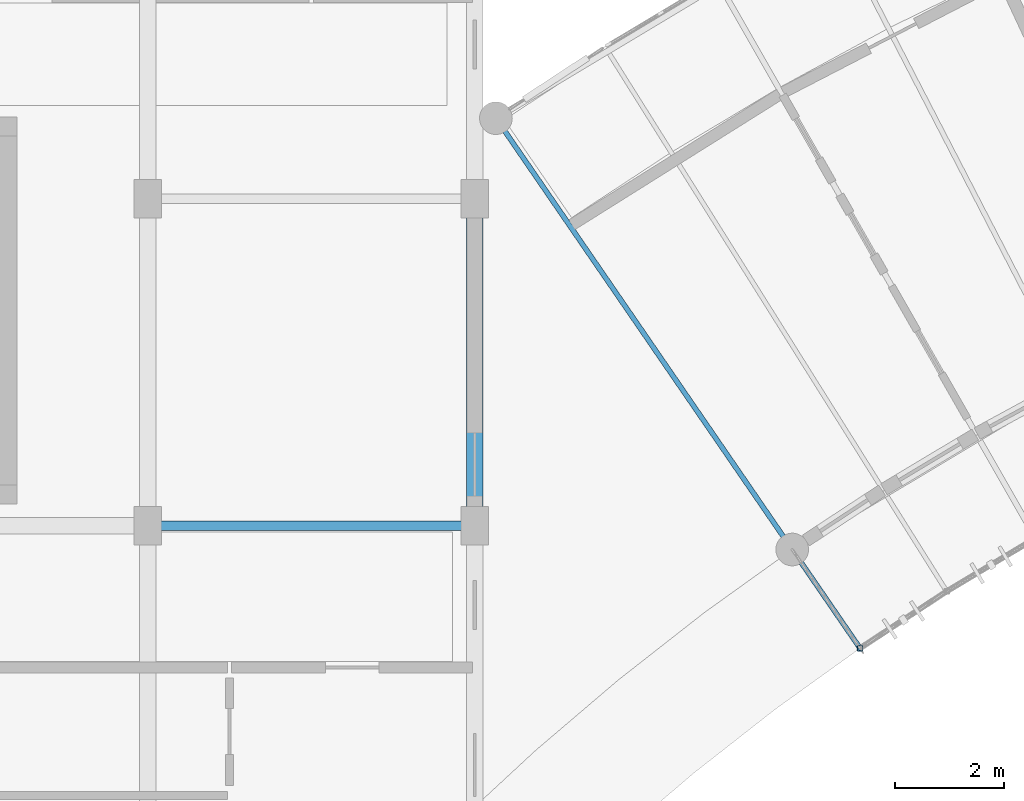
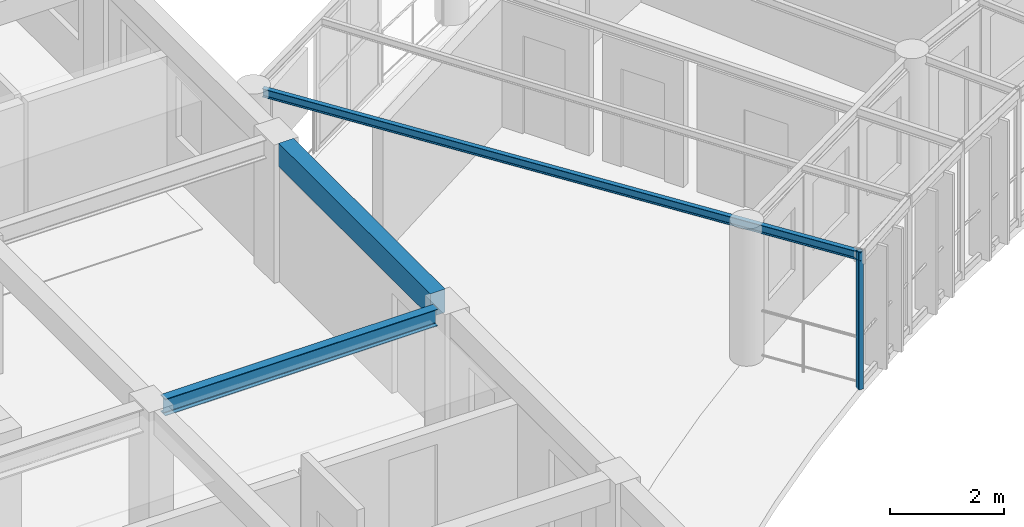
# One storey, part 26 of 101: 3 beams, 1 member.
"""IFC4 building model written with IfcOpenShell, lengths in metres."""

import ifcopenshell
import ifcopenshell.guid

model = None  # the IFC model being written
_history = None  # IfcOwnerHistory: only IFC2X3 demands one
_inside = {}  # id of a spatial element -> (the spatial element, [elements in it])
_under = {}  # id of a project, library or spatial element -> (it, [spatial elements below it])
_declared = {}  # id of a project -> (the project, [libraries it declares])
_typed = {}  # id of a type object -> (the type object, [elements of that type])
_made_of = {}  # id of a material, layer set ... -> (it, [elements and type objects made of it])


def new_model(schema):
    """Start an empty IFC model of exactly this schema.

    Asked for "IFC4X3", IfcOpenShell would pick the latest addendum, in which some entities
    have other attributes; the version numbers below select the first issue.
    IFC2X3 requires an IfcOwnerHistory on every rooted entity: one is made here for all.
    """
    global model, _history
    if schema == "IFC4X3":
        model = ifcopenshell.file(schema_version=(4, 3, 0, 0))
    else:
        model = ifcopenshell.file(schema=schema)
    _inside.clear()
    _under.clear()
    _declared.clear()
    _typed.clear()
    _made_of.clear()
    _history = None
    if model.schema == "IFC2X3":
        org = make("IfcOrganization", Name="unknown")
        user = make(
            "IfcPersonAndOrganization",
            ThePerson=make("IfcPerson", FamilyName="unknown"),
            TheOrganization=org,
        )
        app = make(
            "IfcApplication",
            ApplicationDeveloper=org,
            Version="unknown",
            ApplicationFullName="unknown",
            ApplicationIdentifier="unknown",
        )
        _history = make(
            "IfcOwnerHistory",
            OwningUser=user,
            OwningApplication=app,
            ChangeAction="ADDED",
            CreationDate=0,
        )
    return model


def make(cls, **values):
    """One entity of the class cls with the attributes given. An attribute that is None is left unset."""
    return model.create_entity(
        cls, **{name: value for name, value in values.items() if value is not None}
    )


def rooted(cls, **values):
    """An entity with a GlobalId (a new one), such as an element, a storey or a relation."""
    return make(cls, GlobalId=ifcopenshell.guid.new(), OwnerHistory=_history, **values)


def si_unit(unit_type, name, prefix=None):
    """IfcSIUnit, for example si_unit("LENGTHUNIT", "METRE", prefix="MILLI")."""
    return make("IfcSIUnit", UnitType=unit_type, Prefix=prefix, Name=name)


def assignment(units):
    """IfcUnitAssignment: the units of a project."""
    return None if units is None else make("IfcUnitAssignment", Units=units)


def point(xyz):
    """IfcCartesianPoint."""
    return None if xyz is None else make("IfcCartesianPoint", Coordinates=xyz)


def direction(xyz):
    """IfcDirection."""
    return None if xyz is None else make("IfcDirection", DirectionRatios=xyz)


def frame(location, z_axis=None, x_axis=None):
    """IfcAxis2Placement3D, a coordinate frame: its origin and axes. An axis left out is left unset."""
    return make(
        "IfcAxis2Placement3D",
        Location=point(location),
        Axis=direction(z_axis),
        RefDirection=direction(x_axis),
    )


def frame_2d(location, x_axis=None):
    """IfcAxis2Placement2D, a coordinate frame in the plane: its origin and x axis."""
    return make(
        "IfcAxis2Placement2D", Location=point(location), RefDirection=direction(x_axis)
    )


def origin():
    """The frame at (0, 0, 0) with its axes left unset."""
    return frame((0.0, 0.0, 0.0))


def origin_2d():
    """The frame at (0, 0) in the plane with its x axis left unset."""
    return frame_2d((0.0, 0.0))


def place(relative_to, where):
    """IfcLocalPlacement: puts the frame where relative to a parent placement (None: the world)."""
    return make(
        "IfcLocalPlacement", PlacementRelTo=relative_to, RelativePlacement=where
    )


def context(
    kind, dimensions, precision=None, world=None, true_north=None, identifier=None
):
    """IfcGeometricRepresentationContext, for example the 3D "Model" context."""
    return make(
        "IfcGeometricRepresentationContext",
        ContextIdentifier=identifier,
        ContextType=kind,
        CoordinateSpaceDimension=dimensions,
        Precision=precision,
        WorldCoordinateSystem=world,
        TrueNorth=true_north,
    )


def subcontext(parent, identifier, kind, view, scale=None):
    """IfcGeometricRepresentationSubContext, for example "Body" below "Model"."""
    return make(
        "IfcGeometricRepresentationSubContext",
        ContextIdentifier=identifier,
        ContextType=kind,
        ParentContext=parent,
        TargetScale=scale,
        TargetView=view,
    )


def project(units=None, contexts=None):
    """IfcProject with its units and contexts."""
    return rooted(
        "IfcProject",
        Name="project",
        RepresentationContexts=contexts,
        UnitsInContext=assignment(units),
    )


def spatial(cls, under=None, at=None, **own):
    """A site, building, storey or space (cls), placed at a placement, below another one or the project."""
    s = rooted(cls, ObjectPlacement=at, **own)
    if under is not None:
        _under.setdefault(under.id(), (under, []))[1].append(s)
    return s


def profile(cls, at=None, kind="AREA", **sizes):
    """A parametric profile (cls). Its sizes go by their IFC names, for example OverallWidth=200.0."""
    return make(cls, ProfileType=kind, Position=at, **sizes)


def rectangle(**sizes):
    """IfcRectangleProfileDef."""
    return profile("IfcRectangleProfileDef", **sizes)


def hollow_rectangle(**sizes):
    """IfcRectangleHollowProfileDef."""
    return profile("IfcRectangleHollowProfileDef", **sizes)


def i_section(**sizes):
    """IfcIShapeProfileDef."""
    return profile("IfcIShapeProfileDef", **sizes)


def extrude(swept, where, along, depth):
    """IfcExtrudedAreaSolid: the profile swept, set in the frame where, extruded along a direction by depth."""
    return make(
        "IfcExtrudedAreaSolid",
        SweptArea=swept,
        Position=where,
        ExtrudedDirection=direction(along),
        Depth=depth,
    )


def shape(context_of_items, identifier, shape_type, items):
    """IfcShapeRepresentation: the items that make up one representation, for example the "Body"."""
    return make(
        "IfcShapeRepresentation",
        ContextOfItems=context_of_items,
        RepresentationIdentifier=identifier,
        RepresentationType=shape_type,
        Items=items,
    )


def material(Name=None, Category=None):
    """IfcMaterial."""
    return make("IfcMaterial", Name=Name, Category=Category)


def material_profile(
    of_material, cross_section, Name=None, Category=None, Priority=None
):
    """IfcMaterialProfile: a cross section and its material."""
    return make(
        "IfcMaterialProfile",
        Name=Name,
        Material=of_material,
        Profile=cross_section,
        Priority=Priority,
        Category=Category,
    )


def profile_set(profiles, Name=None, composite=None):
    """IfcMaterialProfileSet."""
    return make(
        "IfcMaterialProfileSet",
        Name=Name,
        MaterialProfiles=profiles,
        CompositeProfile=composite,
    )


def made_of(thing, what):
    """Note that an element or type object is made of a material, layer set ...; save() writes the relation."""
    if what is not None:
        _made_of.setdefault(what.id(), (what, []))[1].append(thing)
    return thing


def type_object(cls, material=None, **own):
    """A type object (cls), such as IfcWallType, which elements share."""
    return made_of(rooted(cls, **own), material)


def element(
    cls,
    number,
    at=None,
    inside=None,
    cuts=None,
    type_object=None,
    material=None,
    context=None,
    identifier="Body",
    shape_type=None,
    held_by="IfcProductDefinitionShape",
    body=None,
    shapes=None,
    **own,
):
    """One element of the class cls, such as IfcWall. Its Tag is "e" and its number.

    at: its placement. inside: the storey or other place that contains it. cuts: it is an
    opening in that element (IfcRelVoidsElement). A single representation is given by context,
    identifier, shape_type and body (its items); several are given by shapes. held_by: the class
    of the entity that holds the representations. save() writes the other relations.
    """
    e = rooted(cls, Tag="e%d" % number, ObjectPlacement=at, **own)
    if body is not None:
        shapes = [shape(context, identifier, shape_type, body)]
    if shapes is not None:
        e.Representation = make(held_by, Representations=shapes)
    if inside is not None:
        _inside.setdefault(inside.id(), (inside, []))[1].append(e)
    if cuts is not None:
        rooted(
            "IfcRelVoidsElement", RelatingBuildingElement=cuts, RelatedOpeningElement=e
        )
    if type_object is not None:
        _typed.setdefault(type_object.id(), (type_object, []))[1].append(e)
    return made_of(e, material)


def aggregate(whole, parts):
    """IfcRelAggregates: a whole, such as a stair, and the parts it consists of."""
    return rooted("IfcRelAggregates", RelatingObject=whole, RelatedObjects=parts)


def save(model, path):
    """Write the relations noted so far, then the file.

    IfcRelAggregates (storeys below a building ...), IfcRelContainedInSpatialStructure (elements
    in a storey), IfcRelDefinesByType, IfcRelAssociatesMaterial and IfcRelDeclares: one each for
    every whole, place, type object, material and project.
    """
    for whole, parts in _under.values():
        aggregate(whole, parts)
    for where, things in _inside.values():
        rooted(
            "IfcRelContainedInSpatialStructure",
            RelatedElements=things,
            RelatingStructure=where,
        )
    for kind, things in _typed.values():
        rooted("IfcRelDefinesByType", RelatedObjects=things, RelatingType=kind)
    for what, things in _made_of.values():
        rooted("IfcRelAssociatesMaterial", RelatedObjects=things, RelatingMaterial=what)
    for by, libraries in _declared.values():
        rooted("IfcRelDeclares", RelatingContext=by, RelatedDefinitions=libraries)
    model.write(path)


model = new_model("IFC4")

# Units and contexts
model_context = context("Model", 3, precision=1e-05, world=origin(), true_north=direction((0.0, 1.0)))
body_context = subcontext(model_context, "Body", "Model", "MODEL_VIEW")
ifc_project = project(units=[si_unit("LENGTHUNIT", "METRE"), si_unit("AREAUNIT", "SQUARE_METRE"), si_unit("VOLUMEUNIT", "CUBIC_METRE"), si_unit("PLANEANGLEUNIT", "RADIAN"), si_unit("MASSUNIT", "GRAM", prefix="KILO"), si_unit("POWERUNIT", "WATT"), si_unit("THERMODYNAMICTEMPERATUREUNIT", "KELVIN")], contexts=[model_context])

# Site, building, storey
site_placement = place(None, origin())
site = spatial("IfcSite", under=ifc_project, at=site_placement, CompositionType="ELEMENT")
building_placement = place(site_placement, origin())
building = spatial("IfcBuilding", under=site, at=building_placement, Name="Ruvembo Vaulted Housing Court", CompositionType="ELEMENT")
storey_placement = place(building_placement, frame((0.0, 0.0, 17.300048828125)))
storey = spatial("IfcBuildingStorey", under=building, at=storey_placement, Name="L05", CompositionType="ELEMENT", Elevation=17.300048828125)

# Beams
ifc_material_1 = material(Name="Steel S355J2", Category="steel")
ifc_material_profile_1 = material_profile(ifc_material_1, i_section(OverallWidth=0.091064453125, OverallDepth=0.179931640625, WebThickness=0.00537109375, FlangeThickness=0.008056640625, FilletRadius=0.009033203125, at=origin_2d()), Name="IPE 180")
ifc_profile_set_1 = profile_set([ifc_material_profile_1], Name="Steel S355J2")
beam_type_1 = type_object("IfcBeamType", Name="BM-ST-IPE180", PredefinedType="JOIST", material=ifc_profile_set_1)
beam_1_placement = place(storey_placement, frame((84.493896484375, 97.32080078125, 2.842041015625), z_axis=(0.566195255681, -0.824271152258, 0.0), x_axis=(0.824271152258, 0.566195255681, 0.0)))
element("IfcBeam", 1, at=beam_1_placement, inside=storey, type_object=beam_type_1, Name="Scoop SC3 L05 Radial Steel Joist 0", PredefinedType="JOIST", context=body_context, shape_type="SweptSolid", body=[
    extrude(i_section(OverallWidth=0.091064453125, OverallDepth=0.179931640625, WebThickness=0.00537109375, FlangeThickness=0.008056640625, FilletRadius=0.009033203125, at=origin_2d()), origin(), (0.0, 0.0, 1.0), 11.650146484375),
])
ifc_material_profile_2 = material_profile(ifc_material_1, i_section(OverallWidth=0.169921875, OverallDepth=0.360107421875, WebThickness=0.008056640625, FlangeThickness=0.0126953125, FilletRadius=0.01806640625, at=origin_2d()), Name="IPE 360")
ifc_profile_set_2 = profile_set([ifc_material_profile_2], Name="Steel S355J2")
beam_type_2 = type_object("IfcBeamType", Name="BM-ST-IPE360", PredefinedType="BEAM", material=ifc_profile_set_2)
beam_2_placement = place(storey_placement, frame((78.235107421875, 90.0, 2.745849609375), z_axis=(1.0, 0.0, 0.0), x_axis=(0.0, 1.0, 0.0)))
element("IfcBeam", 2, at=beam_2_placement, inside=storey, type_object=beam_type_2, Name="L05 Grid Beam X #2391", PredefinedType="BEAM", context=body_context, shape_type="SweptSolid", body=[
    extrude(i_section(OverallWidth=0.169921875, OverallDepth=0.360107421875, WebThickness=0.008056640625, FlangeThickness=0.0126953125, FilletRadius=0.01806640625, at=origin_2d()), origin(), (0.0, 0.0, 1.0), 5.52978515625),
])

# Member
ifc_material_profile_3 = material_profile(ifc_material_1, hollow_rectangle(XDim=0.10009765625, YDim=0.10009765625, WallThickness=0.00634765625, InnerFilletRadius=0.00634765625, OuterFilletRadius=0.0126953125, at=origin_2d()), Name="SHS 100x100x6.3")
ifc_profile_set_3 = profile_set([ifc_material_profile_3], Name="Steel S355J2")
member_type = type_object("IfcMemberType", Name="MEM-FRM-SHS100", PredefinedType="STRUT", material=ifc_profile_set_3)
member_placement = place(storey_placement, frame((91.0673828125, 87.751220703125, -0.01513671875), z_axis=(0.0, 0.0, 1.0), x_axis=(1.0, 0.0, 0.0)))
element("IfcMember", 3, at=member_placement, inside=storey, type_object=member_type, Name="Scoop SC3 L05 Louvre Frame Post 0", PredefinedType="STRUT", context=body_context, shape_type="SweptSolid", body=[
    extrude(hollow_rectangle(XDim=0.10009765625, YDim=0.10009765625, WallThickness=0.00634765625, InnerFilletRadius=0.00634765625, OuterFilletRadius=0.0126953125, at=origin_2d()), origin(), (0.0, 0.0, 1.0), 2.953125),
])

# Beam
ifc_material_2 = material(Name="Concrete C35/45", Category="concrete")
ifc_material_profile_4 = material_profile(ifc_material_2, rectangle(XDim=0.300048828125, YDim=0.5, at=origin_2d()), Name="RC 300x500")
ifc_profile_set_4 = profile_set([ifc_material_profile_4], Name="Concrete C35/45")
beam_type_3 = type_object("IfcBeamType", Name="SP-RC-300x500", PredefinedType="SPANDREL", material=ifc_profile_set_4)
beam_3_placement = place(storey_placement, frame((84.0, 90.3349609375, 2.71484375), z_axis=(0.0, 1.0, 0.0), x_axis=(-1.0, 0.0, 0.0)))
element("IfcBeam", 4, at=beam_3_placement, inside=storey, type_object=beam_type_3, Name="L05 Grid Beam Y #2487", PredefinedType="SPANDREL", context=body_context, shape_type="SweptSolid", body=[
    extrude(rectangle(XDim=0.300048828125, YDim=0.5, at=origin_2d()), origin(), (0.0, 0.0, 1.0), 5.330078125),
])

save(model, "model.ifc")
